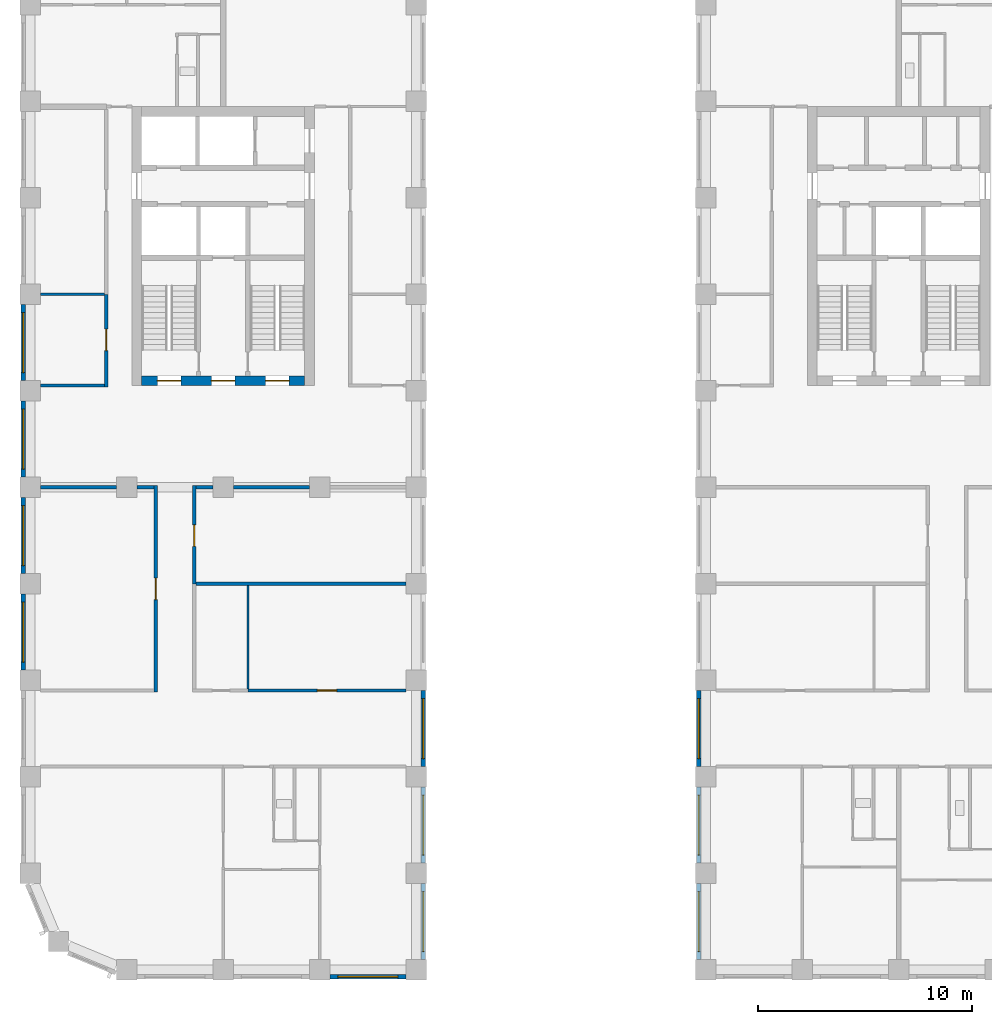
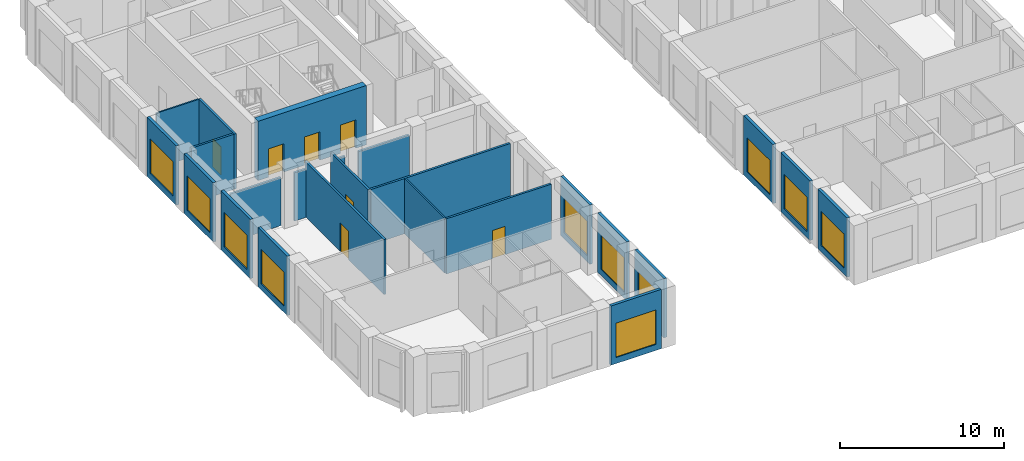
# One storey, part 3 of 13: 24 walls, 11 windows, 7 doors, 18 openings.
"""IFC4 building model written with IfcOpenShell, lengths in metres."""

import ifcopenshell
import ifcopenshell.guid

model = None  # the IFC model being written
_history = None  # IfcOwnerHistory: only IFC2X3 demands one
_inside = {}  # id of a spatial element -> (the spatial element, [elements in it])
_under = {}  # id of a project, library or spatial element -> (it, [spatial elements below it])
_declared = {}  # id of a project -> (the project, [libraries it declares])
_typed = {}  # id of a type object -> (the type object, [elements of that type])
_made_of = {}  # id of a material, layer set ... -> (it, [elements and type objects made of it])


def new_model(schema):
    """Start an empty IFC model of exactly this schema.

    Asked for "IFC4X3", IfcOpenShell would pick the latest addendum, in which some entities
    have other attributes; the version numbers below select the first issue.
    IFC2X3 requires an IfcOwnerHistory on every rooted entity: one is made here for all.
    """
    global model, _history
    if schema == "IFC4X3":
        model = ifcopenshell.file(schema_version=(4, 3, 0, 0))
    else:
        model = ifcopenshell.file(schema=schema)
    _inside.clear()
    _under.clear()
    _declared.clear()
    _typed.clear()
    _made_of.clear()
    _history = None
    if model.schema == "IFC2X3":
        org = make("IfcOrganization", Name="unknown")
        user = make(
            "IfcPersonAndOrganization",
            ThePerson=make("IfcPerson", FamilyName="unknown"),
            TheOrganization=org,
        )
        app = make(
            "IfcApplication",
            ApplicationDeveloper=org,
            Version="unknown",
            ApplicationFullName="unknown",
            ApplicationIdentifier="unknown",
        )
        _history = make(
            "IfcOwnerHistory",
            OwningUser=user,
            OwningApplication=app,
            ChangeAction="ADDED",
            CreationDate=0,
        )
    return model


def make(cls, **values):
    """One entity of the class cls with the attributes given. An attribute that is None is left unset."""
    return model.create_entity(
        cls, **{name: value for name, value in values.items() if value is not None}
    )


def rooted(cls, **values):
    """An entity with a GlobalId (a new one), such as an element, a storey or a relation."""
    return make(cls, GlobalId=ifcopenshell.guid.new(), OwnerHistory=_history, **values)


def si_unit(unit_type, name, prefix=None):
    """IfcSIUnit, for example si_unit("LENGTHUNIT", "METRE", prefix="MILLI")."""
    return make("IfcSIUnit", UnitType=unit_type, Prefix=prefix, Name=name)


def assignment(units):
    """IfcUnitAssignment: the units of a project."""
    return None if units is None else make("IfcUnitAssignment", Units=units)


def point(xyz):
    """IfcCartesianPoint."""
    return None if xyz is None else make("IfcCartesianPoint", Coordinates=xyz)


def direction(xyz):
    """IfcDirection."""
    return None if xyz is None else make("IfcDirection", DirectionRatios=xyz)


def frame(location, z_axis=None, x_axis=None):
    """IfcAxis2Placement3D, a coordinate frame: its origin and axes. An axis left out is left unset."""
    return make(
        "IfcAxis2Placement3D",
        Location=point(location),
        Axis=direction(z_axis),
        RefDirection=direction(x_axis),
    )


def frame_2d(location, x_axis=None):
    """IfcAxis2Placement2D, a coordinate frame in the plane: its origin and x axis."""
    return make(
        "IfcAxis2Placement2D", Location=point(location), RefDirection=direction(x_axis)
    )


def origin():
    """The frame at (0, 0, 0) with its axes left unset."""
    return frame((0.0, 0.0, 0.0))


def place(relative_to, where):
    """IfcLocalPlacement: puts the frame where relative to a parent placement (None: the world)."""
    return make(
        "IfcLocalPlacement", PlacementRelTo=relative_to, RelativePlacement=where
    )


def context(
    kind, dimensions, precision=None, world=None, true_north=None, identifier=None
):
    """IfcGeometricRepresentationContext, for example the 3D "Model" context."""
    return make(
        "IfcGeometricRepresentationContext",
        ContextIdentifier=identifier,
        ContextType=kind,
        CoordinateSpaceDimension=dimensions,
        Precision=precision,
        WorldCoordinateSystem=world,
        TrueNorth=true_north,
    )


def subcontext(parent, identifier, kind, view, scale=None):
    """IfcGeometricRepresentationSubContext, for example "Body" below "Model"."""
    return make(
        "IfcGeometricRepresentationSubContext",
        ContextIdentifier=identifier,
        ContextType=kind,
        ParentContext=parent,
        TargetScale=scale,
        TargetView=view,
    )


def project(units=None, contexts=None):
    """IfcProject with its units and contexts."""
    return rooted(
        "IfcProject",
        Name="project",
        RepresentationContexts=contexts,
        UnitsInContext=assignment(units),
    )


def spatial(cls, under=None, at=None, **own):
    """A site, building, storey or space (cls), placed at a placement, below another one or the project."""
    s = rooted(cls, ObjectPlacement=at, **own)
    if under is not None:
        _under.setdefault(under.id(), (under, []))[1].append(s)
    return s


def profile(cls, at=None, kind="AREA", **sizes):
    """A parametric profile (cls). Its sizes go by their IFC names, for example OverallWidth=200.0."""
    return make(cls, ProfileType=kind, Position=at, **sizes)


def rectangle(**sizes):
    """IfcRectangleProfileDef."""
    return profile("IfcRectangleProfileDef", **sizes)


def extrude(swept, where, along, depth):
    """IfcExtrudedAreaSolid: the profile swept, set in the frame where, extruded along a direction by depth."""
    return make(
        "IfcExtrudedAreaSolid",
        SweptArea=swept,
        Position=where,
        ExtrudedDirection=direction(along),
        Depth=depth,
    )


def shape(context_of_items, identifier, shape_type, items):
    """IfcShapeRepresentation: the items that make up one representation, for example the "Body"."""
    return make(
        "IfcShapeRepresentation",
        ContextOfItems=context_of_items,
        RepresentationIdentifier=identifier,
        RepresentationType=shape_type,
        Items=items,
    )


def material(Name=None, Category=None):
    """IfcMaterial."""
    return make("IfcMaterial", Name=Name, Category=Category)


def layer(
    of_material, thickness, ventilated=None, Name=None, Category=None, Priority=None
):
    """IfcMaterialLayer: one layer of a wall or slab, of a material (None: an air gap)."""
    return make(
        "IfcMaterialLayer",
        Material=of_material,
        LayerThickness=thickness,
        IsVentilated=ventilated,
        Name=Name,
        Category=Category,
        Priority=Priority,
    )


def layer_set(layers, Name=None):
    """IfcMaterialLayerSet."""
    return make("IfcMaterialLayerSet", MaterialLayers=layers, LayerSetName=Name)


def made_of(thing, what):
    """Note that an element or type object is made of a material, layer set ...; save() writes the relation."""
    if what is not None:
        _made_of.setdefault(what.id(), (what, []))[1].append(thing)
    return thing


def type_object(cls, material=None, **own):
    """A type object (cls), such as IfcWallType, which elements share."""
    return made_of(rooted(cls, **own), material)


def element(
    cls,
    number,
    at=None,
    inside=None,
    cuts=None,
    type_object=None,
    material=None,
    context=None,
    identifier="Body",
    shape_type=None,
    held_by="IfcProductDefinitionShape",
    body=None,
    shapes=None,
    **own,
):
    """One element of the class cls, such as IfcWall. Its Tag is "e" and its number.

    at: its placement. inside: the storey or other place that contains it. cuts: it is an
    opening in that element (IfcRelVoidsElement). A single representation is given by context,
    identifier, shape_type and body (its items); several are given by shapes. held_by: the class
    of the entity that holds the representations. save() writes the other relations.
    """
    e = rooted(cls, Tag="e%d" % number, ObjectPlacement=at, **own)
    if body is not None:
        shapes = [shape(context, identifier, shape_type, body)]
    if shapes is not None:
        e.Representation = make(held_by, Representations=shapes)
    if inside is not None:
        _inside.setdefault(inside.id(), (inside, []))[1].append(e)
    if cuts is not None:
        rooted(
            "IfcRelVoidsElement", RelatingBuildingElement=cuts, RelatedOpeningElement=e
        )
    if type_object is not None:
        _typed.setdefault(type_object.id(), (type_object, []))[1].append(e)
    return made_of(e, material)


def fill(opening, filler):
    """IfcRelFillsElement: the door or window that sits in an opening."""
    return rooted(
        "IfcRelFillsElement",
        RelatingOpeningElement=opening,
        RelatedBuildingElement=filler,
    )


def aggregate(whole, parts):
    """IfcRelAggregates: a whole, such as a stair, and the parts it consists of."""
    return rooted("IfcRelAggregates", RelatingObject=whole, RelatedObjects=parts)


def save(model, path):
    """Write the relations noted so far, then the file.

    IfcRelAggregates (storeys below a building ...), IfcRelContainedInSpatialStructure (elements
    in a storey), IfcRelDefinesByType, IfcRelAssociatesMaterial and IfcRelDeclares: one each for
    every whole, place, type object, material and project.
    """
    for whole, parts in _under.values():
        aggregate(whole, parts)
    for where, things in _inside.values():
        rooted(
            "IfcRelContainedInSpatialStructure",
            RelatedElements=things,
            RelatingStructure=where,
        )
    for kind, things in _typed.values():
        rooted("IfcRelDefinesByType", RelatedObjects=things, RelatingType=kind)
    for what, things in _made_of.values():
        rooted("IfcRelAssociatesMaterial", RelatedObjects=things, RelatingMaterial=what)
    for by, libraries in _declared.values():
        rooted("IfcRelDeclares", RelatingContext=by, RelatedDefinitions=libraries)
    model.write(path)


model = new_model("IFC4")

# Units and contexts
model_context = context("Model", 3, precision=1e-05, world=origin(), true_north=direction((0.0, 1.0)))
body_context = subcontext(model_context, "Body", "Model", "MODEL_VIEW")
ifc_project = project(units=[si_unit("LENGTHUNIT", "METRE"), si_unit("AREAUNIT", "SQUARE_METRE"), si_unit("VOLUMEUNIT", "CUBIC_METRE"), si_unit("PLANEANGLEUNIT", "RADIAN"), si_unit("MASSUNIT", "GRAM", prefix="KILO")], contexts=[model_context])

# Site, building, storey
site_placement = place(None, origin())
site = spatial("IfcSite", under=ifc_project, at=site_placement, CompositionType="ELEMENT")
building_placement = place(site_placement, origin())
building = spatial("IfcBuilding", under=site, at=building_placement, Name="Girih Gate Residences", CompositionType="ELEMENT")
storey_placement = place(building_placement, frame((0.0, 0.0, 150.60009765625)))
storey = spatial("IfcBuildingStorey", under=building, at=storey_placement, Name="L42", CompositionType="ELEMENT", Elevation=150.60009765625)

# Walls
ifc_material_1 = material(Name="Gypsum board on steel studs", Category="steel")
ifc_layer_1 = layer(ifc_material_1, 0.14990234375)
ifc_layer_set_1 = layer_set([ifc_layer_1], Name="Compartment wall 150 mm")
wall_type_1 = type_object("IfcWallType", Name="Compartment wall 150 mm", PredefinedType="PARTITIONING", material=ifc_layer_set_1)
wall_1_placement = place(storey_placement, frame((7.72509765625, 22.5, 0.0), z_axis=(0.0, 0.0, 1.0), x_axis=(1.0, 0.0, 0.0)))
element("IfcWall", 1, at=wall_1_placement, inside=storey, type_object=wall_type_1, Name="L42 partition", PredefinedType="PARTITIONING", context=body_context, shape_type="SweptSolid", body=[
    extrude(rectangle(XDim=0.7998046875, YDim=0.14990234375, at=frame_2d((0.39990234375, 0.0))), origin(), (0.0, 0.0, 1.0), 3.579833984375),
])
wall_2_placement = place(storey_placement, frame((9.47509765625, 22.5, 0.0), z_axis=(0.0, 0.0, 1.0), x_axis=(1.0, 0.0, 0.0)))
element("IfcWall", 2, at=wall_2_placement, inside=storey, type_object=wall_type_1, Name="L42 partition", PredefinedType="PARTITIONING", context=body_context, shape_type="SweptSolid", body=[
    extrude(rectangle(XDim=3.5498046875, YDim=0.14990234375, at=frame_2d((1.77490234375, 0.0))), origin(), (0.0, 0.0, 1.0), 3.579833984375),
])

# Wall, opening, door
wall_3_placement = place(storey_placement, frame((7.64990234375, 22.574951171875, 0.0), z_axis=(0.0, 0.0, 1.0), x_axis=(0.0, -1.0, 0.0)))
wall_3 = element("IfcWall", 3, at=wall_3_placement, inside=storey, type_object=wall_type_1, Name="L42 partition", PredefinedType="PARTITIONING", context=body_context, shape_type="SweptSolid", body=[
    extrude(rectangle(XDim=4.574951171875, YDim=0.14990234375, at=frame_2d((2.28759765625, 0.0))), origin(), (0.0, 0.0, 1.0), 4.099853515625),
])
opening_1_placement = place(wall_3_placement, frame((1.824951171875, 0.0, 0.0)))
opening_1 = element("IfcOpeningElement", 4, at=opening_1_placement, cuts=wall_3, Name="Opening A42-028", PredefinedType="OPENING", context=body_context, shape_type="SweptSolid", body=[
    extrude(rectangle(XDim=1.0, YDim=2.10009765625, at=frame_2d((0.5, 1.050048828125))), frame((0.0, 0.0849609375, 0.0), z_axis=(0.0, -1.0, 0.0), x_axis=(1.0, 0.0, 0.0)), (0.0, 0.0, 1.0), 0.169921875),
])
ifc_material_2 = material(Name="Timber, fire-rated core", Category="wood")
door_type_1 = type_object("IfcDoorType", Name="Amenity room door 1000x2100 FD30S", OperationType="NOTDEFINED", PredefinedType="DOOR", material=ifc_material_2)
door_1_placement = place(opening_1_placement, origin())
door_1 = element("IfcDoor", 5, at=door_1_placement, inside=storey, type_object=door_type_1, Name="Door A42-028", OperationType="SINGLE_SWING_RIGHT", OverallHeight=2.10009765625, OverallWidth=1.0, PredefinedType="DOOR", context=body_context, shape_type="SweptSolid", body=[
    extrude(rectangle(XDim=1.0, YDim=2.10009765625, at=frame_2d((0.5, 1.050048828125))), frame((0.0, 0.02490234375, 0.0), z_axis=(0.0, -1.0, 0.0), x_axis=(1.0, 0.0, 0.0)), (0.0, 0.0, 1.0), 0.050048828125),
])
fill(opening_1, door_1)

# Wall
wall_4_placement = place(storey_placement, frame((7.72509765625, 18.0, 0.0), z_axis=(0.0, 0.0, 1.0), x_axis=(1.0, 0.0, 0.0)))
element("IfcWall", 6, at=wall_4_placement, inside=storey, type_object=wall_type_1, Name="L42 partition", PredefinedType="PARTITIONING", context=body_context, shape_type="SweptSolid", body=[
    extrude(rectangle(XDim=9.7998046875, YDim=0.14990234375, at=frame_2d((4.89990234375, 0.0))), origin(), (0.0, 0.0, 1.0), 4.099853515625),
])

# Wall, opening, door
wall_5_placement = place(storey_placement, frame((10.14990234375, 13.02490234375, 0.0), z_axis=(0.0, 0.0, 1.0), x_axis=(1.0, 0.0, 0.0)))
wall_5 = element("IfcWall", 7, at=wall_5_placement, inside=storey, type_object=wall_type_1, Name="L42 partition", PredefinedType="PARTITIONING", context=body_context, shape_type="SweptSolid", body=[
    extrude(rectangle(XDim=7.375, YDim=0.14990234375, at=frame_2d((3.6875, 0.0))), origin(), (0.0, 0.0, 1.0), 4.099853515625),
])
opening_2_placement = place(wall_5_placement, frame((3.237548828125, 0.0, 0.0)))
opening_2 = element("IfcOpeningElement", 8, at=opening_2_placement, cuts=wall_5, Name="Opening A42-031", PredefinedType="OPENING", context=body_context, shape_type="SweptSolid", body=[
    extrude(rectangle(XDim=0.89990234375, YDim=2.10009765625, at=frame_2d((0.449951171875, 1.050048828125))), frame((0.0, 0.0849609375, 0.0), z_axis=(0.0, -1.0, 0.0), x_axis=(1.0, 0.0, 0.0)), (0.0, 0.0, 1.0), 0.169921875),
])
ifc_material_3 = material(Name="Timber", Category="wood")
door_type_2 = type_object("IfcDoorType", Name="Service room door 900x2100", OperationType="NOTDEFINED", PredefinedType="DOOR", material=ifc_material_3)
door_2_placement = place(opening_2_placement, origin())
door_2 = element("IfcDoor", 9, at=door_2_placement, inside=storey, type_object=door_type_2, Name="Door A42-031", OperationType="SINGLE_SWING_LEFT", OverallHeight=2.10009765625, OverallWidth=0.89990234375, PredefinedType="DOOR", context=body_context, shape_type="SweptSolid", body=[
    extrude(rectangle(XDim=0.89990234375, YDim=2.10009765625, at=frame_2d((0.449951171875, 1.050048828125))), frame((0.0, 0.02490234375, 0.0), z_axis=(0.0, -1.0, 0.0), x_axis=(1.0, 0.0, 0.0)), (0.0, 0.0, 1.0), 0.050048828125),
])
fill(opening_2, door_2)

# Wall
wall_6_placement = place(storey_placement, frame((0.47509765625, 27.25, 0.0), z_axis=(0.0, 0.0, 1.0), x_axis=(1.0, 0.0, 0.0)))
element("IfcWall", 10, at=wall_6_placement, inside=storey, type_object=wall_type_1, Name="L42 partition", PredefinedType="PARTITIONING", context=body_context, shape_type="SweptSolid", body=[
    extrude(rectangle(XDim=3.0, YDim=0.14990234375, at=frame_2d((1.5, 0.0))), origin(), (0.0, 0.0, 1.0), 4.099853515625),
])

# Wall, opening, door
wall_7_placement = place(storey_placement, frame((3.550048828125, 27.175048828125, 0.0), z_axis=(0.0, 0.0, 1.0), x_axis=(0.0, 1.0, 0.0)))
wall_7 = element("IfcWall", 11, at=wall_7_placement, inside=storey, type_object=wall_type_1, Name="L42 partition", PredefinedType="PARTITIONING", context=body_context, shape_type="SweptSolid", body=[
    extrude(rectangle(XDim=4.324951171875, YDim=0.14990234375, at=frame_2d((2.16259765625, 0.0))), origin(), (0.0, 0.0, 1.0), 4.099853515625),
])
opening_3_placement = place(wall_7_placement, frame((1.699951171875, 0.0, 0.0)))
opening_3 = element("IfcOpeningElement", 12, at=opening_3_placement, cuts=wall_7, Name="Opening A42-041", PredefinedType="OPENING", context=body_context, shape_type="SweptSolid", body=[
    extrude(rectangle(XDim=1.0, YDim=2.10009765625, at=frame_2d((0.5, 1.050048828125))), frame((0.0, 0.0849609375, 0.0), z_axis=(0.0, -1.0, 0.0), x_axis=(1.0, 0.0, 0.0)), (0.0, 0.0, 1.0), 0.169921875),
])
door_3_placement = place(opening_3_placement, origin())
door_3 = element("IfcDoor", 13, at=door_3_placement, inside=storey, type_object=door_type_1, Name="Door A42-041", OperationType="SINGLE_SWING_RIGHT", OverallHeight=2.10009765625, OverallWidth=1.0, PredefinedType="DOOR", context=body_context, shape_type="SweptSolid", body=[
    extrude(rectangle(XDim=1.0, YDim=2.10009765625, at=frame_2d((0.5, 1.050048828125))), frame((0.0, 0.02490234375, 0.0), z_axis=(0.0, -1.0, 0.0), x_axis=(1.0, 0.0, 0.0)), (0.0, 0.0, 1.0), 0.050048828125),
])
fill(opening_3, door_3)

# Walls
wall_8_placement = place(storey_placement, frame((4.97509765625, 22.5, 0.0), z_axis=(0.0, 0.0, 1.0), x_axis=(1.0, 0.0, 0.0)))
element("IfcWall", 14, at=wall_8_placement, inside=storey, type_object=wall_type_1, Name="L42 partition", PredefinedType="PARTITIONING", context=body_context, shape_type="SweptSolid", body=[
    extrude(rectangle(XDim=0.7998046875, YDim=0.14990234375, at=frame_2d((0.39990234375, 0.0))), origin(), (0.0, 0.0, 1.0), 3.579833984375),
])
wall_9_placement = place(storey_placement, frame((0.47509765625, 22.5, 0.0), z_axis=(0.0, 0.0, 1.0), x_axis=(1.0, 0.0, 0.0)))
element("IfcWall", 15, at=wall_9_placement, inside=storey, type_object=wall_type_1, Name="L42 partition", PredefinedType="PARTITIONING", context=body_context, shape_type="SweptSolid", body=[
    extrude(rectangle(XDim=3.5498046875, YDim=0.14990234375, at=frame_2d((1.77490234375, 0.0))), origin(), (0.0, 0.0, 1.0), 3.579833984375),
])

# Wall, opening, door
wall_10_placement = place(storey_placement, frame((5.85009765625, 12.949951171875, 0.0), z_axis=(0.0, 0.0, 1.0), x_axis=(0.0, 1.0, 0.0)))
wall_10 = element("IfcWall", 16, at=wall_10_placement, inside=storey, type_object=wall_type_1, Name="L42 partition", PredefinedType="PARTITIONING", context=body_context, shape_type="SweptSolid", body=[
    extrude(rectangle(XDim=9.625, YDim=0.14990234375, at=frame_2d((4.8125, 0.0))), origin(), (0.0, 0.0, 1.0), 4.099853515625),
])
opening_4_placement = place(wall_10_placement, frame((4.3125, 0.0, 0.0)))
opening_4 = element("IfcOpeningElement", 17, at=opening_4_placement, cuts=wall_10, Name="Opening A42-044", PredefinedType="OPENING", context=body_context, shape_type="SweptSolid", body=[
    extrude(rectangle(XDim=1.0, YDim=2.10009765625, at=frame_2d((0.5, 1.050048828125))), frame((0.0, 0.0849609375, 0.0), z_axis=(0.0, -1.0, 0.0), x_axis=(1.0, 0.0, 0.0)), (0.0, 0.0, 1.0), 0.169921875),
])
door_4_placement = place(opening_4_placement, origin())
door_4 = element("IfcDoor", 18, at=door_4_placement, inside=storey, type_object=door_type_1, Name="Door A42-044", OperationType="SINGLE_SWING_RIGHT", OverallHeight=2.10009765625, OverallWidth=1.0, PredefinedType="DOOR", context=body_context, shape_type="SweptSolid", body=[
    extrude(rectangle(XDim=1.0, YDim=2.10009765625, at=frame_2d((0.5, 1.050048828125))), frame((0.0, 0.02490234375, 0.0), z_axis=(0.0, -1.0, 0.0), x_axis=(1.0, 0.0, 0.0)), (0.0, 0.0, 1.0), 0.050048828125),
])
fill(opening_4, door_4)

# Wall, openings, doors
ifc_material_4 = material(Name="Concrete C60/75", Category="concrete")
ifc_layer_2 = layer(ifc_material_4, 0.449951171875)
ifc_layer_set_2 = layer_set([ifc_layer_2], Name="Core wall RC 450 Concrete C60/75")
wall_type_2 = type_object("IfcWallType", Name="Core wall RC 450 Concrete C60/75", PredefinedType="SOLIDWALL", material=ifc_layer_set_2)
wall_11_placement = place(storey_placement, frame((5.199951171875, 27.47509765625, 0.0), z_axis=(0.0, 0.0, 1.0), x_axis=(1.0, 0.0, 0.0)))
wall_11 = element("IfcWall", 19, at=wall_11_placement, inside=storey, type_object=wall_type_2, Name="Core wall W-S L42", PredefinedType="SOLIDWALL", context=body_context, shape_type="SweptSolid", body=[
    extrude(rectangle(XDim=7.60009765625, YDim=0.449951171875, at=frame_2d((3.800048828125, 0.0))), origin(), (0.0, 0.0, 1.0), 4.39990234375),
])
opening_5_placement = place(wall_11_placement, frame((0.72509765625, 0.0, 0.0)))
opening_5 = element("IfcOpeningElement", 20, at=opening_5_placement, cuts=wall_11, Name="Opening D-L42-W-008", PredefinedType="OPENING", context=body_context, shape_type="SweptSolid", body=[
    extrude(rectangle(XDim=1.10009765625, YDim=2.10009765625, at=frame_2d((0.550048828125, 1.050048828125))), frame((0.0, 0.23486328125, 0.0), z_axis=(0.0, -1.0, 0.0), x_axis=(1.0, 0.0, 0.0)), (0.0, 0.0, 1.0), 0.469970703125),
])
opening_6_placement = place(wall_11_placement, frame((3.25, 0.0, 0.0)))
opening_6 = element("IfcOpeningElement", 21, at=opening_6_placement, cuts=wall_11, Name="Opening D-L42-W-009", PredefinedType="OPENING", context=body_context, shape_type="SweptSolid", body=[
    extrude(rectangle(XDim=1.10009765625, YDim=2.10009765625, at=frame_2d((0.550048828125, 1.050048828125))), frame((0.0, 0.23486328125, 0.0), z_axis=(0.0, -1.0, 0.0), x_axis=(1.0, 0.0, 0.0)), (0.0, 0.0, 1.0), 0.469970703125),
])
opening_7_placement = place(wall_11_placement, frame((5.77490234375, 0.0, 0.0)))
opening_7 = element("IfcOpeningElement", 22, at=opening_7_placement, cuts=wall_11, Name="Opening D-L42-W-010", PredefinedType="OPENING", context=body_context, shape_type="SweptSolid", body=[
    extrude(rectangle(XDim=1.10009765625, YDim=2.10009765625, at=frame_2d((0.550048828125, 1.050048828125))), frame((0.0, 0.23486328125, 0.0), z_axis=(0.0, -1.0, 0.0), x_axis=(1.0, 0.0, 0.0)), (0.0, 0.0, 1.0), 0.469970703125),
])
ifc_material_5 = material(Name="Painted steel, fire-resisting", Category="steel")
door_type_3 = type_object("IfcDoorType", Name="Fire door 1100x2100", OperationType="SINGLE_SWING_LEFT", PredefinedType="DOOR", material=ifc_material_5)
door_5_placement = place(opening_5_placement, origin())
door_5 = element("IfcDoor", 23, at=door_5_placement, inside=storey, type_object=door_type_3, Name="L42 W core door sta-out", OperationType="SINGLE_SWING_LEFT", OverallHeight=2.10009765625, OverallWidth=1.10009765625, PredefinedType="DOOR", context=body_context, shape_type="SweptSolid", body=[
    extrude(rectangle(XDim=1.10009765625, YDim=2.10009765625, at=frame_2d((0.550048828125, 1.050048828125))), frame((0.0, 0.02490234375, 0.0), z_axis=(0.0, -1.0, 0.0), x_axis=(1.0, 0.0, 0.0)), (0.0, 0.0, 1.0), 0.050048828125),
])
fill(opening_5, door_5)
door_6_placement = place(opening_6_placement, origin())
door_6 = element("IfcDoor", 24, at=door_6_placement, inside=storey, type_object=door_type_3, Name="L42 W core door ffl-out", OperationType="SINGLE_SWING_LEFT", OverallHeight=2.10009765625, OverallWidth=1.10009765625, PredefinedType="DOOR", context=body_context, shape_type="SweptSolid", body=[
    extrude(rectangle(XDim=1.10009765625, YDim=2.10009765625, at=frame_2d((0.550048828125, 1.050048828125))), frame((0.0, 0.02490234375, 0.0), z_axis=(0.0, -1.0, 0.0), x_axis=(1.0, 0.0, 0.0)), (0.0, 0.0, 1.0), 0.050048828125),
])
fill(opening_6, door_6)
door_7_placement = place(opening_7_placement, origin())
door_7 = element("IfcDoor", 25, at=door_7_placement, inside=storey, type_object=door_type_3, Name="L42 W core door stb-out", OperationType="SINGLE_SWING_LEFT", OverallHeight=2.10009765625, OverallWidth=1.10009765625, PredefinedType="DOOR", context=body_context, shape_type="SweptSolid", body=[
    extrude(rectangle(XDim=1.10009765625, YDim=2.10009765625, at=frame_2d((0.550048828125, 1.050048828125))), frame((0.0, 0.02490234375, 0.0), z_axis=(0.0, -1.0, 0.0), x_axis=(1.0, 0.0, 0.0)), (0.0, 0.0, 1.0), 0.050048828125),
])
fill(opening_7, door_7)

# Walls
ifc_layer_3 = layer(ifc_material_1, 0.10009765625)
ifc_layer_set_3 = layer_set([ifc_layer_3], Name="Partition 100 mm")
wall_type_3 = type_object("IfcWallType", Name="Partition 100 mm", PredefinedType="PARTITIONING", material=ifc_layer_set_3)
wall_12_placement = place(storey_placement, frame((10.14990234375, 13.10009765625, 0.0), z_axis=(0.0, 0.0, 1.0), x_axis=(0.0, 1.0, 0.0)))
element("IfcWall", 26, at=wall_12_placement, inside=storey, type_object=wall_type_3, Name="L42 partition", PredefinedType="PARTITIONING", context=body_context, shape_type="SweptSolid", body=[
    extrude(rectangle(XDim=4.824951171875, YDim=0.10009765625, at=frame_2d((2.41259765625, 0.0))), origin(), (0.0, 0.0, 1.0), 4.099853515625),
])
wall_13_placement = place(storey_placement, frame((0.47509765625, 31.5, 0.0), z_axis=(0.0, 0.0, 1.0), x_axis=(1.0, 0.0, 0.0)))
element("IfcWall", 27, at=wall_13_placement, inside=storey, type_object=wall_type_3, Name="L42 partition", PredefinedType="PARTITIONING", context=body_context, shape_type="SweptSolid", body=[
    extrude(rectangle(XDim=3.0, YDim=0.10009765625, at=frame_2d((1.5, 0.0))), origin(), (0.0, 0.0, 1.0), 4.099853515625),
])

# Wall, opening, window
ifc_material_6 = material(Name="Precast concrete C50/60", Category="concrete")
ifc_layer_4 = layer(ifc_material_6, 0.06005859375, Name="Outer leaf")
ifc_material_7 = material(Name="Rigid PIR insulation")
ifc_layer_5 = layer(ifc_material_7, 0.090087890625, Name="Insulation")
ifc_material_8 = material(Name="Precast concrete C40/50", Category="concrete")
ifc_layer_6 = layer(ifc_material_8, 0.050048828125, Name="Inner leaf")
ifc_layer_set_4 = layer_set([ifc_layer_4, ifc_layer_5, ifc_layer_6], Name="Precast concrete C50/60 external wall 200")
wall_type_4 = type_object("IfcWallType", Name="Precast concrete C50/60 external wall 200", PredefinedType="SOLIDWALL", material=ifc_layer_set_4)
wall_14_placement = place(storey_placement, frame((-0.324951171875, 27.47509765625, 0.0), z_axis=(0.0, 0.0, 1.0), x_axis=(0.0, 1.0, 0.0)))
wall_14 = element("IfcWall", 28, at=wall_14_placement, inside=storey, type_object=wall_type_4, Name="External wall W0000_0450.3", PredefinedType="SOLIDWALL", context=body_context, shape_type="SweptSolid", body=[
    extrude(rectangle(XDim=3.5498046875, YDim=0.199951171875, at=frame_2d((1.77490234375, 0.0))), origin(), (0.0, 0.0, 1.0), 4.39990234375),
])
opening_8_placement = place(wall_14_placement, frame((0.375, 0.0, 0.449951171875)))
opening_8 = element("IfcOpeningElement", 29, at=opening_8_placement, cuts=wall_14, Name="Opening W-6A", PredefinedType="OPENING", context=body_context, shape_type="SweptSolid", body=[
    extrude(rectangle(XDim=2.800048828125, YDim=2.550048828125, at=frame_2d((1.39990234375, 1.27490234375))), frame((0.0, 0.10986328125, 0.0), z_axis=(0.0, -1.0, 0.0), x_axis=(1.0, 0.0, 0.0)), (0.0, 0.0, 1.0), 0.219970703125),
])
ifc_material_9 = material(Name="Double glazing in aluminium frame", Category="aluminium")
window_type = type_object("IfcWindowType", Name="Window W-6A 2800x2550", PartitioningType="SINGLE_PANEL", PredefinedType="WINDOW", material=ifc_material_9)
window_1_placement = place(opening_8_placement, origin())
window_1 = element("IfcWindow", 30, at=window_1_placement, inside=storey, type_object=window_type, Name="Window W-6A W0000_0450.3", OverallHeight=2.550048828125, OverallWidth=2.800048828125, PartitioningType="SINGLE_PANEL", PredefinedType="WINDOW", context=body_context, shape_type="SweptSolid", body=[
    extrude(rectangle(XDim=2.800048828125, YDim=2.550048828125, at=frame_2d((1.39990234375, 1.27490234375))), frame((0.0, 0.030029296875, 0.0), z_axis=(0.0, -1.0, 0.0), x_axis=(1.0, 0.0, 0.0)), (0.0, 0.0, 1.0), 0.06005859375),
])
fill(opening_8, window_1)

wall_15_placement = place(storey_placement, frame((-0.324951171875, 22.97509765625, 0.0), z_axis=(0.0, 0.0, 1.0), x_axis=(0.0, 1.0, 0.0)))
wall_15 = element("IfcWall", 31, at=wall_15_placement, inside=storey, type_object=wall_type_4, Name="External wall W0000_0450.4", PredefinedType="SOLIDWALL", context=body_context, shape_type="SweptSolid", body=[
    extrude(rectangle(XDim=3.5498046875, YDim=0.199951171875, at=frame_2d((1.77490234375, 0.0))), origin(), (0.0, 0.0, 1.0), 4.39990234375),
])
opening_9_placement = place(wall_15_placement, frame((0.375, 0.0, 0.449951171875)))
opening_9 = element("IfcOpeningElement", 32, at=opening_9_placement, cuts=wall_15, Name="Opening W-6A", PredefinedType="OPENING", context=body_context, shape_type="SweptSolid", body=[
    extrude(rectangle(XDim=2.800048828125, YDim=2.550048828125, at=frame_2d((1.39990234375, 1.27490234375))), frame((0.0, 0.10986328125, 0.0), z_axis=(0.0, -1.0, 0.0), x_axis=(1.0, 0.0, 0.0)), (0.0, 0.0, 1.0), 0.219970703125),
])
window_2_placement = place(opening_9_placement, origin())
window_2 = element("IfcWindow", 33, at=window_2_placement, inside=storey, type_object=window_type, Name="Window W-6A W0000_0450.4", OverallHeight=2.550048828125, OverallWidth=2.800048828125, PartitioningType="SINGLE_PANEL", PredefinedType="WINDOW", context=body_context, shape_type="SweptSolid", body=[
    extrude(rectangle(XDim=2.800048828125, YDim=2.550048828125, at=frame_2d((1.39990234375, 1.27490234375))), frame((0.0, 0.030029296875, 0.0), z_axis=(0.0, -1.0, 0.0), x_axis=(1.0, 0.0, 0.0)), (0.0, 0.0, 1.0), 0.06005859375),
])
fill(opening_9, window_2)

wall_16_placement = place(storey_placement, frame((-0.324951171875, 18.47509765625, 0.0), z_axis=(0.0, 0.0, 1.0), x_axis=(0.0, 1.0, 0.0)))
wall_16 = element("IfcWall", 34, at=wall_16_placement, inside=storey, type_object=wall_type_4, Name="External wall W0000_0450.5", PredefinedType="SOLIDWALL", context=body_context, shape_type="SweptSolid", body=[
    extrude(rectangle(XDim=3.5498046875, YDim=0.199951171875, at=frame_2d((1.77490234375, 0.0))), origin(), (0.0, 0.0, 1.0), 4.39990234375),
])
opening_10_placement = place(wall_16_placement, frame((0.375, 0.0, 0.449951171875)))
opening_10 = element("IfcOpeningElement", 35, at=opening_10_placement, cuts=wall_16, Name="Opening W-6A", PredefinedType="OPENING", context=body_context, shape_type="SweptSolid", body=[
    extrude(rectangle(XDim=2.800048828125, YDim=2.550048828125, at=frame_2d((1.39990234375, 1.27490234375))), frame((0.0, 0.10986328125, 0.0), z_axis=(0.0, -1.0, 0.0), x_axis=(1.0, 0.0, 0.0)), (0.0, 0.0, 1.0), 0.219970703125),
])
window_3_placement = place(opening_10_placement, origin())
window_3 = element("IfcWindow", 36, at=window_3_placement, inside=storey, type_object=window_type, Name="Window W-6A W0000_0450.5", OverallHeight=2.550048828125, OverallWidth=2.800048828125, PartitioningType="SINGLE_PANEL", PredefinedType="WINDOW", context=body_context, shape_type="SweptSolid", body=[
    extrude(rectangle(XDim=2.800048828125, YDim=2.550048828125, at=frame_2d((1.39990234375, 1.27490234375))), frame((0.0, 0.030029296875, 0.0), z_axis=(0.0, -1.0, 0.0), x_axis=(1.0, 0.0, 0.0)), (0.0, 0.0, 1.0), 0.06005859375),
])
fill(opening_10, window_3)

wall_17_placement = place(storey_placement, frame((-0.324951171875, 13.97509765625, 0.0), z_axis=(0.0, 0.0, 1.0), x_axis=(0.0, 1.0, 0.0)))
wall_17 = element("IfcWall", 37, at=wall_17_placement, inside=storey, type_object=wall_type_4, Name="External wall W0000_0450.6", PredefinedType="SOLIDWALL", context=body_context, shape_type="SweptSolid", body=[
    extrude(rectangle(XDim=3.5498046875, YDim=0.199951171875, at=frame_2d((1.77490234375, 0.0))), origin(), (0.0, 0.0, 1.0), 4.39990234375),
])
opening_11_placement = place(wall_17_placement, frame((0.375, 0.0, 0.449951171875)))
opening_11 = element("IfcOpeningElement", 38, at=opening_11_placement, cuts=wall_17, Name="Opening W-6A", PredefinedType="OPENING", context=body_context, shape_type="SweptSolid", body=[
    extrude(rectangle(XDim=2.800048828125, YDim=2.550048828125, at=frame_2d((1.39990234375, 1.27490234375))), frame((0.0, 0.10986328125, 0.0), z_axis=(0.0, -1.0, 0.0), x_axis=(1.0, 0.0, 0.0)), (0.0, 0.0, 1.0), 0.219970703125),
])
window_4_placement = place(opening_11_placement, origin())
window_4 = element("IfcWindow", 39, at=window_4_placement, inside=storey, type_object=window_type, Name="Window W-6A W0000_0450.6", OverallHeight=2.550048828125, OverallWidth=2.800048828125, PartitioningType="SINGLE_PANEL", PredefinedType="WINDOW", context=body_context, shape_type="SweptSolid", body=[
    extrude(rectangle(XDim=2.800048828125, YDim=2.550048828125, at=frame_2d((1.39990234375, 1.27490234375))), frame((0.0, 0.030029296875, 0.0), z_axis=(0.0, -1.0, 0.0), x_axis=(1.0, 0.0, 0.0)), (0.0, 0.0, 1.0), 0.06005859375),
])
fill(opening_11, window_4)

wall_18_placement = place(storey_placement, frame((17.52490234375, -0.324951171875, 0.0), z_axis=(0.0, 0.0, 1.0), x_axis=(-1.0, 0.0, 0.0)))
wall_18 = element("IfcWall", 40, at=wall_18_placement, inside=storey, type_object=wall_type_4, Name="External wall S0045_0000.2", PredefinedType="SOLIDWALL", context=body_context, shape_type="SweptSolid", body=[
    extrude(rectangle(XDim=3.5498046875, YDim=0.199951171875, at=frame_2d((1.77490234375, 0.0))), origin(), (0.0, 0.0, 1.0), 4.39990234375),
])
opening_12_placement = place(wall_18_placement, frame((0.375, 0.0, 0.449951171875)))
opening_12 = element("IfcOpeningElement", 41, at=opening_12_placement, cuts=wall_18, Name="Opening W-6A", PredefinedType="OPENING", context=body_context, shape_type="SweptSolid", body=[
    extrude(rectangle(XDim=2.800048828125, YDim=2.550048828125, at=frame_2d((1.39990234375, 1.27490234375))), frame((0.0, 0.10986328125, 0.0), z_axis=(0.0, -1.0, 0.0), x_axis=(1.0, 0.0, 0.0)), (0.0, 0.0, 1.0), 0.219970703125),
])
window_5_placement = place(opening_12_placement, origin())
window_5 = element("IfcWindow", 42, at=window_5_placement, inside=storey, type_object=window_type, Name="Window W-6A S0045_0000.2", OverallHeight=2.550048828125, OverallWidth=2.800048828125, PartitioningType="SINGLE_PANEL", PredefinedType="WINDOW", context=body_context, shape_type="SweptSolid", body=[
    extrude(rectangle(XDim=2.800048828125, YDim=2.550048828125, at=frame_2d((1.39990234375, 1.27490234375))), frame((0.0, 0.030029296875, 0.0), z_axis=(0.0, -1.0, 0.0), x_axis=(1.0, 0.0, 0.0)), (0.0, 0.0, 1.0), 0.06005859375),
])
fill(opening_12, window_5)

wall_19_placement = place(storey_placement, frame((18.324951171875, 4.02490234375, 0.0), z_axis=(0.0, 0.0, 1.0), x_axis=(0.0, -1.0, 0.0)))
wall_19 = element("IfcWall", 43, at=wall_19_placement, inside=storey, type_object=wall_type_4, Name="External wall E0180_0000.0", PredefinedType="SOLIDWALL", context=body_context, shape_type="SweptSolid", body=[
    extrude(rectangle(XDim=3.5498046875, YDim=0.199951171875, at=frame_2d((1.77490234375, 0.0))), origin(), (0.0, 0.0, 1.0), 4.39990234375),
])
opening_13_placement = place(wall_19_placement, frame((0.375, 0.0, 0.449951171875)))
opening_13 = element("IfcOpeningElement", 44, at=opening_13_placement, cuts=wall_19, Name="Opening W-6A", PredefinedType="OPENING", context=body_context, shape_type="SweptSolid", body=[
    extrude(rectangle(XDim=2.800048828125, YDim=2.550048828125, at=frame_2d((1.39990234375, 1.27490234375))), frame((0.0, 0.10986328125, 0.0), z_axis=(0.0, -1.0, 0.0), x_axis=(1.0, 0.0, 0.0)), (0.0, 0.0, 1.0), 0.219970703125),
])
window_6_placement = place(opening_13_placement, origin())
window_6 = element("IfcWindow", 45, at=window_6_placement, inside=storey, type_object=window_type, Name="Window W-6A E0180_0000.0", OverallHeight=2.550048828125, OverallWidth=2.800048828125, PartitioningType="SINGLE_PANEL", PredefinedType="WINDOW", context=body_context, shape_type="SweptSolid", body=[
    extrude(rectangle(XDim=2.800048828125, YDim=2.550048828125, at=frame_2d((1.39990234375, 1.27490234375))), frame((0.0, 0.030029296875, 0.0), z_axis=(0.0, -1.0, 0.0), x_axis=(1.0, 0.0, 0.0)), (0.0, 0.0, 1.0), 0.06005859375),
])
fill(opening_13, window_6)

wall_20_placement = place(storey_placement, frame((18.324951171875, 8.52490234375, 0.0), z_axis=(0.0, 0.0, 1.0), x_axis=(0.0, -1.0, 0.0)))
wall_20 = element("IfcWall", 46, at=wall_20_placement, inside=storey, type_object=wall_type_4, Name="External wall E0180_0000.1", PredefinedType="SOLIDWALL", context=body_context, shape_type="SweptSolid", body=[
    extrude(rectangle(XDim=3.5498046875, YDim=0.199951171875, at=frame_2d((1.77490234375, 0.0))), origin(), (0.0, 0.0, 1.0), 4.39990234375),
])
opening_14_placement = place(wall_20_placement, frame((0.375, 0.0, 0.449951171875)))
opening_14 = element("IfcOpeningElement", 47, at=opening_14_placement, cuts=wall_20, Name="Opening W-6A", PredefinedType="OPENING", context=body_context, shape_type="SweptSolid", body=[
    extrude(rectangle(XDim=2.800048828125, YDim=2.550048828125, at=frame_2d((1.39990234375, 1.27490234375))), frame((0.0, 0.10986328125, 0.0), z_axis=(0.0, -1.0, 0.0), x_axis=(1.0, 0.0, 0.0)), (0.0, 0.0, 1.0), 0.219970703125),
])
window_7_placement = place(opening_14_placement, origin())
window_7 = element("IfcWindow", 48, at=window_7_placement, inside=storey, type_object=window_type, Name="Window W-6A E0180_0000.1", OverallHeight=2.550048828125, OverallWidth=2.800048828125, PartitioningType="SINGLE_PANEL", PredefinedType="WINDOW", context=body_context, shape_type="SweptSolid", body=[
    extrude(rectangle(XDim=2.800048828125, YDim=2.550048828125, at=frame_2d((1.39990234375, 1.27490234375))), frame((0.0, 0.030029296875, 0.0), z_axis=(0.0, -1.0, 0.0), x_axis=(1.0, 0.0, 0.0)), (0.0, 0.0, 1.0), 0.06005859375),
])
fill(opening_14, window_7)

wall_21_placement = place(storey_placement, frame((18.324951171875, 13.02490234375, 0.0), z_axis=(0.0, 0.0, 1.0), x_axis=(0.0, -1.0, 0.0)))
wall_21 = element("IfcWall", 49, at=wall_21_placement, inside=storey, type_object=wall_type_4, Name="External wall E0180_0000.2", PredefinedType="SOLIDWALL", context=body_context, shape_type="SweptSolid", body=[
    extrude(rectangle(XDim=3.5498046875, YDim=0.199951171875, at=frame_2d((1.77490234375, 0.0))), origin(), (0.0, 0.0, 1.0), 4.39990234375),
])
opening_15_placement = place(wall_21_placement, frame((0.375, 0.0, 0.449951171875)))
opening_15 = element("IfcOpeningElement", 50, at=opening_15_placement, cuts=wall_21, Name="Opening W-6A", PredefinedType="OPENING", context=body_context, shape_type="SweptSolid", body=[
    extrude(rectangle(XDim=2.800048828125, YDim=2.550048828125, at=frame_2d((1.39990234375, 1.27490234375))), frame((0.0, 0.10986328125, 0.0), z_axis=(0.0, -1.0, 0.0), x_axis=(1.0, 0.0, 0.0)), (0.0, 0.0, 1.0), 0.219970703125),
])
window_8_placement = place(opening_15_placement, origin())
window_8 = element("IfcWindow", 51, at=window_8_placement, inside=storey, type_object=window_type, Name="Window W-6A E0180_0000.2", OverallHeight=2.550048828125, OverallWidth=2.800048828125, PartitioningType="SINGLE_PANEL", PredefinedType="WINDOW", context=body_context, shape_type="SweptSolid", body=[
    extrude(rectangle(XDim=2.800048828125, YDim=2.550048828125, at=frame_2d((1.39990234375, 1.27490234375))), frame((0.0, 0.030029296875, 0.0), z_axis=(0.0, -1.0, 0.0), x_axis=(1.0, 0.0, 0.0)), (0.0, 0.0, 1.0), 0.06005859375),
])
fill(opening_15, window_8)

wall_22_placement = place(storey_placement, frame((31.175048828125, 9.47509765625, 0.0), z_axis=(0.0, 0.0, 1.0), x_axis=(0.0, 1.0, 0.0)))
wall_22 = element("IfcWall", 52, at=wall_22_placement, inside=storey, type_object=wall_type_4, Name="External wall W0315_0495.8", PredefinedType="SOLIDWALL", context=body_context, shape_type="SweptSolid", body=[
    extrude(rectangle(XDim=3.5498046875, YDim=0.199951171875, at=frame_2d((1.77490234375, 0.0))), origin(), (0.0, 0.0, 1.0), 4.39990234375),
])
opening_16_placement = place(wall_22_placement, frame((0.375, 0.0, 0.449951171875)))
opening_16 = element("IfcOpeningElement", 53, at=opening_16_placement, cuts=wall_22, Name="Opening W-6A", PredefinedType="OPENING", context=body_context, shape_type="SweptSolid", body=[
    extrude(rectangle(XDim=2.800048828125, YDim=2.550048828125, at=frame_2d((1.39990234375, 1.27490234375))), frame((0.0, 0.10986328125, 0.0), z_axis=(0.0, -1.0, 0.0), x_axis=(1.0, 0.0, 0.0)), (0.0, 0.0, 1.0), 0.219970703125),
])
window_9_placement = place(opening_16_placement, origin())
window_9 = element("IfcWindow", 54, at=window_9_placement, inside=storey, type_object=window_type, Name="Window W-6A W0315_0495.8", OverallHeight=2.550048828125, OverallWidth=2.800048828125, PartitioningType="SINGLE_PANEL", PredefinedType="WINDOW", context=body_context, shape_type="SweptSolid", body=[
    extrude(rectangle(XDim=2.800048828125, YDim=2.550048828125, at=frame_2d((1.39990234375, 1.27490234375))), frame((0.0, 0.030029296875, 0.0), z_axis=(0.0, -1.0, 0.0), x_axis=(1.0, 0.0, 0.0)), (0.0, 0.0, 1.0), 0.06005859375),
])
fill(opening_16, window_9)

wall_23_placement = place(storey_placement, frame((31.175048828125, 4.97509765625, 0.0), z_axis=(0.0, 0.0, 1.0), x_axis=(0.0, 1.0, 0.0)))
wall_23 = element("IfcWall", 55, at=wall_23_placement, inside=storey, type_object=wall_type_4, Name="External wall W0315_0495.9", PredefinedType="SOLIDWALL", context=body_context, shape_type="SweptSolid", body=[
    extrude(rectangle(XDim=3.5498046875, YDim=0.199951171875, at=frame_2d((1.77490234375, 0.0))), origin(), (0.0, 0.0, 1.0), 4.39990234375),
])
opening_17_placement = place(wall_23_placement, frame((0.375, 0.0, 0.449951171875)))
opening_17 = element("IfcOpeningElement", 56, at=opening_17_placement, cuts=wall_23, Name="Opening W-6A", PredefinedType="OPENING", context=body_context, shape_type="SweptSolid", body=[
    extrude(rectangle(XDim=2.800048828125, YDim=2.550048828125, at=frame_2d((1.39990234375, 1.27490234375))), frame((0.0, 0.10986328125, 0.0), z_axis=(0.0, -1.0, 0.0), x_axis=(1.0, 0.0, 0.0)), (0.0, 0.0, 1.0), 0.219970703125),
])
window_10_placement = place(opening_17_placement, origin())
window_10 = element("IfcWindow", 57, at=window_10_placement, inside=storey, type_object=window_type, Name="Window W-6A W0315_0495.9", OverallHeight=2.550048828125, OverallWidth=2.800048828125, PartitioningType="SINGLE_PANEL", PredefinedType="WINDOW", context=body_context, shape_type="SweptSolid", body=[
    extrude(rectangle(XDim=2.800048828125, YDim=2.550048828125, at=frame_2d((1.39990234375, 1.27490234375))), frame((0.0, 0.030029296875, 0.0), z_axis=(0.0, -1.0, 0.0), x_axis=(1.0, 0.0, 0.0)), (0.0, 0.0, 1.0), 0.06005859375),
])
fill(opening_17, window_10)

wall_24_placement = place(storey_placement, frame((31.175048828125, 0.47509765625, 0.0), z_axis=(0.0, 0.0, 1.0), x_axis=(0.0, 1.0, 0.0)))
wall_24 = element("IfcWall", 58, at=wall_24_placement, inside=storey, type_object=wall_type_4, Name="External wall W0315_0495.10", PredefinedType="SOLIDWALL", context=body_context, shape_type="SweptSolid", body=[
    extrude(rectangle(XDim=3.5498046875, YDim=0.199951171875, at=frame_2d((1.77490234375, 0.0))), origin(), (0.0, 0.0, 1.0), 4.39990234375),
])
opening_18_placement = place(wall_24_placement, frame((0.375, 0.0, 0.449951171875)))
opening_18 = element("IfcOpeningElement", 59, at=opening_18_placement, cuts=wall_24, Name="Opening W-6A", PredefinedType="OPENING", context=body_context, shape_type="SweptSolid", body=[
    extrude(rectangle(XDim=2.800048828125, YDim=2.550048828125, at=frame_2d((1.39990234375, 1.27490234375))), frame((0.0, 0.10986328125, 0.0), z_axis=(0.0, -1.0, 0.0), x_axis=(1.0, 0.0, 0.0)), (0.0, 0.0, 1.0), 0.219970703125),
])
window_11_placement = place(opening_18_placement, origin())
window_11 = element("IfcWindow", 60, at=window_11_placement, inside=storey, type_object=window_type, Name="Window W-6A W0315_0495.10", OverallHeight=2.550048828125, OverallWidth=2.800048828125, PartitioningType="SINGLE_PANEL", PredefinedType="WINDOW", context=body_context, shape_type="SweptSolid", body=[
    extrude(rectangle(XDim=2.800048828125, YDim=2.550048828125, at=frame_2d((1.39990234375, 1.27490234375))), frame((0.0, 0.030029296875, 0.0), z_axis=(0.0, -1.0, 0.0), x_axis=(1.0, 0.0, 0.0)), (0.0, 0.0, 1.0), 0.06005859375),
])
fill(opening_18, window_11)

save(model, "model.ifc")
